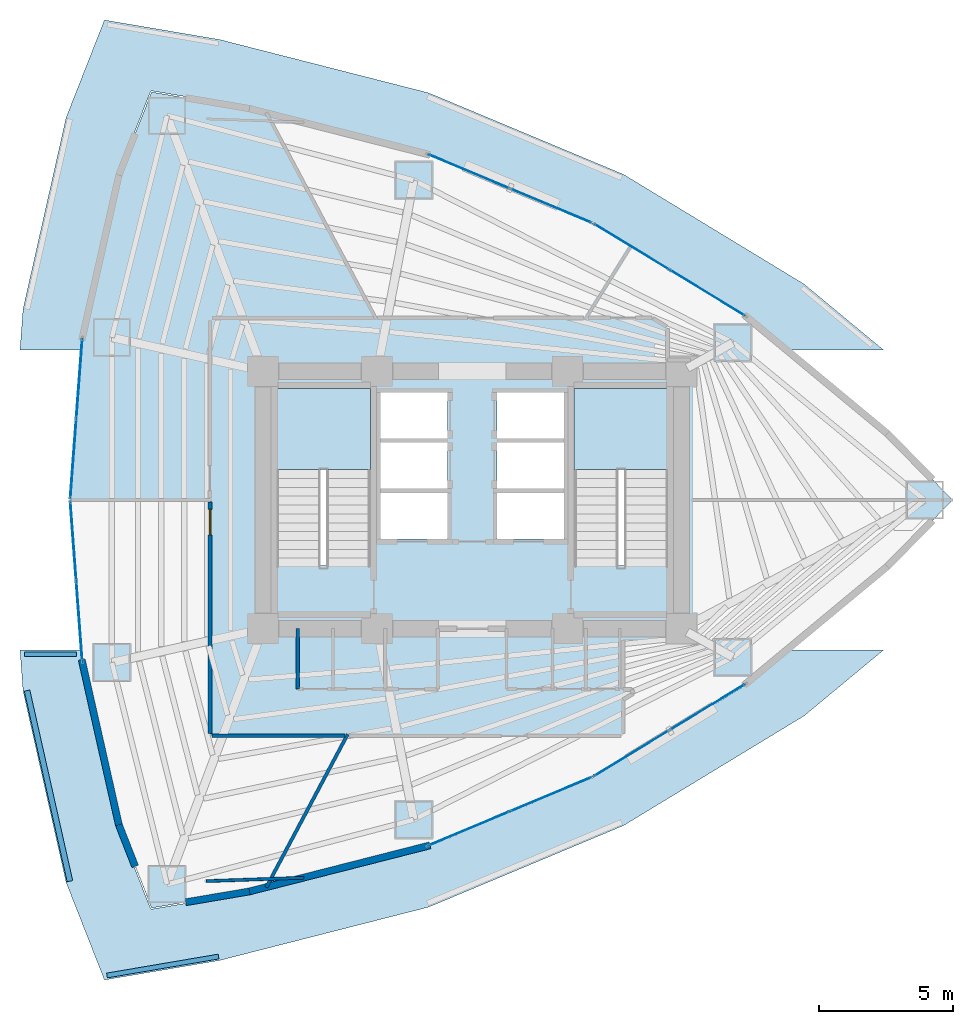
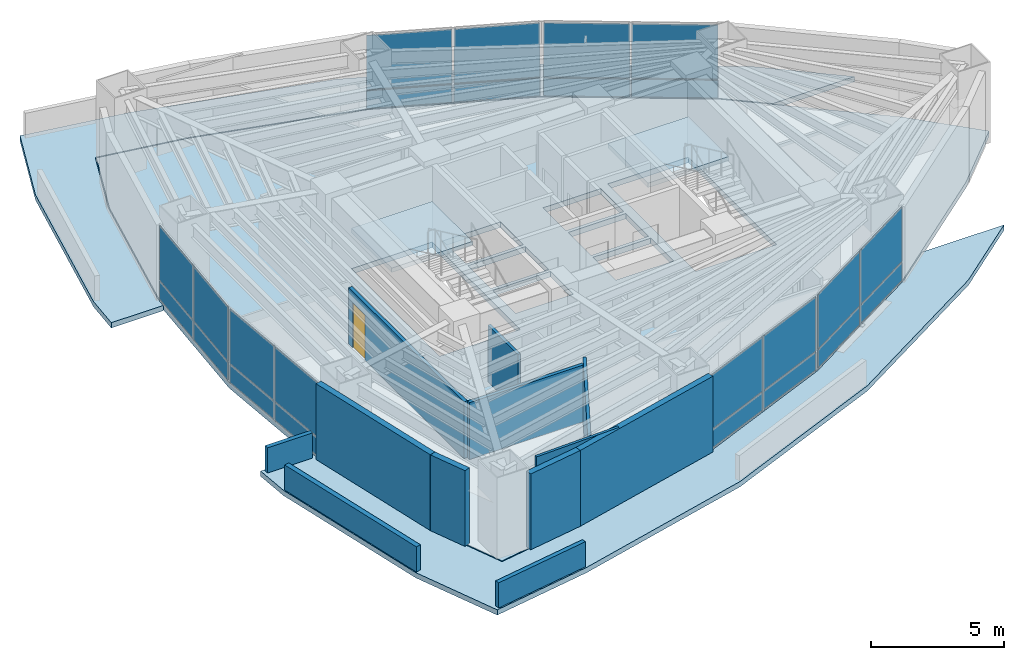
# One storey, part 12 of 17: 24 plates, 12 walls, 5 slabs, 1 door, 1 opening, 8 elements without a shape of their own.
"""IFC4 building model written with IfcOpenShell, lengths in metres."""

from ifc_helpers import new_model, si_unit, direction, frame, frame_2d, origin, origin_2d, place, context, subcontext, project, spatial, polyline, rectangle, outline, extrude, material, layer, layer_set, type_object, element, fill, aggregate, save


model = new_model("IFC4")

# Units and contexts
model_context = context("Model", 3, precision=1e-05, world=origin(), true_north=direction((0.0, 1.0)))
body_context = subcontext(model_context, "Body", "Model", "MODEL_VIEW")
ifc_project = project(units=[si_unit("LENGTHUNIT", "METRE"), si_unit("AREAUNIT", "SQUARE_METRE"), si_unit("VOLUMEUNIT", "CUBIC_METRE"), si_unit("PLANEANGLEUNIT", "RADIAN"), si_unit("MASSUNIT", "GRAM", prefix="KILO")], contexts=[model_context])

# Site, building, storey
site_placement = place(None, origin())
site = spatial("IfcSite", under=ifc_project, at=site_placement, CompositionType="ELEMENT")
building_placement = place(site_placement, origin())
building = spatial("IfcBuilding", under=site, at=building_placement, Name="Menara Vayukalpa", CompositionType="ELEMENT")
storey_placement = place(building_placement, frame((0.0, 0.0, 27.60009765625)))
storey = spatial("IfcBuildingStorey", under=building, at=storey_placement, Name="L05", CompositionType="ELEMENT", Elevation=27.60009765625)

# Curtain wall, plates
ifc_material_1 = material(Name="Anodised Terracotta Aluminium Alloy 6063-T6", Category="masonry")
ifc_layer_1 = layer(ifc_material_1, 0.1650390625)
ifc_layer_set_1 = layer_set([ifc_layer_1], Name="Anodised Terracotta Aluminium Alloy 6063-T6")
curtain_wall_type = type_object("IfcCurtainWallType", Name="CW-CW2", PredefinedType="USERDEFINED", material=ifc_layer_set_1)
curtain_wall_1_placement = place(storey_placement, origin())
curtain_wall_1 = element("IfcCurtainWall", 1, at=curtain_wall_1_placement, inside=storey, type_object=curtain_wall_type, Name="L05 Low Rise Terracotta Ribbon Curtain Wall CW2 04", ObjectType="UNITISED", PredefinedType="USERDEFINED")
ifc_material_2 = material(Name="Low-E Double Glazing", Category="glass")
ifc_layer_2 = layer(ifc_material_2, 0.031982421875)
ifc_layer_set_2 = layer_set([ifc_layer_2], Name="Low-E Double Glazing")
plate_type = type_object("IfcPlateType", Name="CWP-CW2", PredefinedType="CURTAIN_PANEL", material=ifc_layer_set_2)
plate_1_placement = place(storey_placement, frame((34.371826171875, 29.721435546875, 0.06494140625), z_axis=(0.0, 0.0, 1.0), x_axis=(-0.854663727945, 0.519181964377, 0.0)))
plate_1 = element("IfcPlate", 2, at=plate_1_placement, type_object=plate_type, Name="CW2 panel 1.1", PredefinedType="CURTAIN_PANEL", context=body_context, shape_type="SweptSolid", body=[
    extrude(rectangle(XDim=3.24267578125, YDim=0.031982421875, at=origin_2d()), origin(), (0.0, 0.0, 1.0), 0.802490234375),
])
plate_2_placement = place(storey_placement, frame((34.371826171875, 29.721435546875, 0.9326171875), z_axis=(0.0, 0.0, 1.0), x_axis=(-0.854663727945, 0.519181964377, 0.0)))
plate_2 = element("IfcPlate", 3, at=plate_2_placement, type_object=plate_type, Name="CW2 panel 1.2", PredefinedType="CURTAIN_PANEL", context=body_context, shape_type="SweptSolid", body=[
    extrude(rectangle(XDim=3.24267578125, YDim=0.031982421875, at=origin_2d()), origin(), (0.0, 0.0, 1.0), 2.472412109375),
])
plate_3_placement = place(storey_placement, frame((31.54052734375, 31.44140625, 0.06494140625), z_axis=(0.0, 0.0, 1.0), x_axis=(-0.854663727945, 0.519181964377, 0.0)))
plate_3 = element("IfcPlate", 4, at=plate_3_placement, type_object=plate_type, Name="CW2 panel 2.1", PredefinedType="CURTAIN_PANEL", context=body_context, shape_type="SweptSolid", body=[
    extrude(rectangle(XDim=3.24267578125, YDim=0.031982421875, at=origin_2d()), origin(), (0.0, 0.0, 1.0), 0.802490234375),
])
plate_4_placement = place(storey_placement, frame((31.54052734375, 31.44140625, 0.9326171875), z_axis=(0.0, 0.0, 1.0), x_axis=(-0.854663727945, 0.519181964377, 0.0)))
plate_4 = element("IfcPlate", 5, at=plate_4_placement, type_object=plate_type, Name="CW2 panel 2.2", PredefinedType="CURTAIN_PANEL", context=body_context, shape_type="SweptSolid", body=[
    extrude(rectangle(XDim=3.24267578125, YDim=0.031982421875, at=origin_2d()), origin(), (0.0, 0.0, 1.0), 2.472412109375),
])
aggregate(curtain_wall_1, [plate_1, plate_2, plate_3, plate_4])

curtain_wall_2_placement = place(storey_placement, origin())
curtain_wall_2 = element("IfcCurtainWall", 6, at=curtain_wall_2_placement, inside=storey, type_object=curtain_wall_type, Name="L05 Low Rise Terracotta Ribbon Curtain Wall CW2 05", ObjectType="UNITISED", PredefinedType="USERDEFINED")
plate_5_placement = place(storey_placement, frame((28.534912109375, 32.97216796875, 0.06494140625), z_axis=(0.0, 0.0, 1.0), x_axis=(-0.922542658101, 0.385895120445, 0.0)))
plate_5 = element("IfcPlate", 7, at=plate_5_placement, type_object=plate_type, Name="CW2 panel 1.1", PredefinedType="CURTAIN_PANEL", context=body_context, shape_type="SweptSolid", body=[
    extrude(rectangle(XDim=3.242431640625, YDim=0.031982421875, at=origin_2d()), origin(), (0.0, 0.0, 1.0), 0.802490234375),
])
plate_6_placement = place(storey_placement, frame((28.534912109375, 32.97216796875, 0.9326171875), z_axis=(0.0, 0.0, 1.0), x_axis=(-0.922542658101, 0.385895120445, 0.0)))
plate_6 = element("IfcPlate", 8, at=plate_6_placement, type_object=plate_type, Name="CW2 panel 1.2", PredefinedType="CURTAIN_PANEL", context=body_context, shape_type="SweptSolid", body=[
    extrude(rectangle(XDim=3.242431640625, YDim=0.031982421875, at=origin_2d()), origin(), (0.0, 0.0, 1.0), 2.472412109375),
])
plate_7_placement = place(storey_placement, frame((25.478759765625, 34.250244140625, 0.06494140625), z_axis=(0.0, 0.0, 1.0), x_axis=(-0.922542658101, 0.385895120445, 0.0)))
plate_7 = element("IfcPlate", 9, at=plate_7_placement, type_object=plate_type, Name="CW2 panel 2.1", PredefinedType="CURTAIN_PANEL", context=body_context, shape_type="SweptSolid", body=[
    extrude(rectangle(XDim=3.242431640625, YDim=0.031982421875, at=origin_2d()), origin(), (0.0, 0.0, 1.0), 0.802490234375),
])
plate_8_placement = place(storey_placement, frame((25.478759765625, 34.250244140625, 0.9326171875), z_axis=(0.0, 0.0, 1.0), x_axis=(-0.922542658101, 0.385895120445, 0.0)))
plate_8 = element("IfcPlate", 10, at=plate_8_placement, type_object=plate_type, Name="CW2 panel 2.2", PredefinedType="CURTAIN_PANEL", context=body_context, shape_type="SweptSolid", body=[
    extrude(rectangle(XDim=3.242431640625, YDim=0.031982421875, at=origin_2d()), origin(), (0.0, 0.0, 1.0), 2.472412109375),
])
aggregate(curtain_wall_2, [plate_5, plate_6, plate_7, plate_8])

curtain_wall_3_placement = place(storey_placement, origin())
curtain_wall_3 = element("IfcCurtainWall", 11, at=curtain_wall_3_placement, inside=storey, type_object=curtain_wall_type, Name="L05 Low Rise Terracotta Ribbon Curtain Wall CW2 10", ObjectType="UNITISED", PredefinedType="USERDEFINED")
plate_9_placement = place(storey_placement, frame((10.94921875, 26.52734375, 0.06494140625), z_axis=(0.0, 0.0, 1.0), x_axis=(-0.074794857576, -0.997198941676, 0.0)))
plate_9 = element("IfcPlate", 12, at=plate_9_placement, type_object=plate_type, Name="CW2 panel 1.1", PredefinedType="CURTAIN_PANEL", context=body_context, shape_type="SweptSolid", body=[
    extrude(rectangle(XDim=2.933349609375, YDim=0.031982421875, at=origin_2d()), origin(), (0.0, 0.0, 1.0), 0.802490234375),
])
plate_10_placement = place(storey_placement, frame((10.94921875, 26.52734375, 0.9326171875), z_axis=(0.0, 0.0, 1.0), x_axis=(-0.074794857576, -0.997198941676, 0.0)))
plate_10 = element("IfcPlate", 13, at=plate_10_placement, type_object=plate_type, Name="CW2 panel 1.2", PredefinedType="CURTAIN_PANEL", context=body_context, shape_type="SweptSolid", body=[
    extrude(rectangle(XDim=2.933349609375, YDim=0.031982421875, at=origin_2d()), origin(), (0.0, 0.0, 1.0), 2.472412109375),
])
plate_11_placement = place(storey_placement, frame((10.724609375, 23.532470703125, 0.06494140625), z_axis=(0.0, 0.0, 1.0), x_axis=(-0.074794857576, -0.997198941676, 0.0)))
plate_11 = element("IfcPlate", 14, at=plate_11_placement, type_object=plate_type, Name="CW2 panel 2.1", PredefinedType="CURTAIN_PANEL", context=body_context, shape_type="SweptSolid", body=[
    extrude(rectangle(XDim=2.933349609375, YDim=0.031982421875, at=origin_2d()), origin(), (0.0, 0.0, 1.0), 0.802490234375),
])
plate_12_placement = place(storey_placement, frame((10.724609375, 23.532470703125, 0.9326171875), z_axis=(0.0, 0.0, 1.0), x_axis=(-0.074794857576, -0.997198941676, 0.0)))
plate_12 = element("IfcPlate", 15, at=plate_12_placement, type_object=plate_type, Name="CW2 panel 2.2", PredefinedType="CURTAIN_PANEL", context=body_context, shape_type="SweptSolid", body=[
    extrude(rectangle(XDim=2.933349609375, YDim=0.031982421875, at=origin_2d()), origin(), (0.0, 0.0, 1.0), 2.472412109375),
])
aggregate(curtain_wall_3, [plate_9, plate_10, plate_11, plate_12])

curtain_wall_4_placement = place(storey_placement, origin())
curtain_wall_4 = element("IfcCurtainWall", 16, at=curtain_wall_4_placement, inside=storey, type_object=curtain_wall_type, Name="L05 Low Rise Terracotta Ribbon Curtain Wall CW2 11", ObjectType="UNITISED", PredefinedType="USERDEFINED")
plate_13_placement = place(storey_placement, frame((10.724609375, 20.467529296875, 0.06494140625), z_axis=(0.0, 0.0, 1.0), x_axis=(0.074794857576, -0.997198941676, 0.0)))
plate_13 = element("IfcPlate", 17, at=plate_13_placement, type_object=plate_type, Name="CW2 panel 1.1", PredefinedType="CURTAIN_PANEL", context=body_context, shape_type="SweptSolid", body=[
    extrude(rectangle(XDim=2.933349609375, YDim=0.031982421875, at=origin_2d()), origin(), (0.0, 0.0, 1.0), 0.802490234375),
])
plate_14_placement = place(storey_placement, frame((10.724609375, 20.467529296875, 0.9326171875), z_axis=(0.0, 0.0, 1.0), x_axis=(0.074794857576, -0.997198941676, 0.0)))
plate_14 = element("IfcPlate", 18, at=plate_14_placement, type_object=plate_type, Name="CW2 panel 1.2", PredefinedType="CURTAIN_PANEL", context=body_context, shape_type="SweptSolid", body=[
    extrude(rectangle(XDim=2.933349609375, YDim=0.031982421875, at=origin_2d()), origin(), (0.0, 0.0, 1.0), 2.472412109375),
])
plate_15_placement = place(storey_placement, frame((10.94921875, 17.47265625, 0.06494140625), z_axis=(0.0, 0.0, 1.0), x_axis=(0.074794857576, -0.997198941676, 0.0)))
plate_15 = element("IfcPlate", 19, at=plate_15_placement, type_object=plate_type, Name="CW2 panel 2.1", PredefinedType="CURTAIN_PANEL", context=body_context, shape_type="SweptSolid", body=[
    extrude(rectangle(XDim=2.933349609375, YDim=0.031982421875, at=origin_2d()), origin(), (0.0, 0.0, 1.0), 0.802490234375),
])
plate_16_placement = place(storey_placement, frame((10.94921875, 17.47265625, 0.9326171875), z_axis=(0.0, 0.0, 1.0), x_axis=(0.074794857576, -0.997198941676, 0.0)))
plate_16 = element("IfcPlate", 20, at=plate_16_placement, type_object=plate_type, Name="CW2 panel 2.2", PredefinedType="CURTAIN_PANEL", context=body_context, shape_type="SweptSolid", body=[
    extrude(rectangle(XDim=2.933349609375, YDim=0.031982421875, at=origin_2d()), origin(), (0.0, 0.0, 1.0), 2.472412109375),
])
aggregate(curtain_wall_4, [plate_13, plate_14, plate_15, plate_16])

curtain_wall_5_placement = place(storey_placement, origin())
curtain_wall_5 = element("IfcCurtainWall", 21, at=curtain_wall_5_placement, inside=storey, type_object=curtain_wall_type, Name="L05 Low Rise Terracotta Ribbon Curtain Wall CW2 16", ObjectType="UNITISED", PredefinedType="USERDEFINED")
plate_17_placement = place(storey_placement, frame((25.478759765625, 9.749755859375, 0.06494140625), z_axis=(0.0, 0.0, 1.0), x_axis=(0.922542658101, 0.385895120445, 0.0)))
plate_17 = element("IfcPlate", 22, at=plate_17_placement, type_object=plate_type, Name="CW2 panel 1.1", PredefinedType="CURTAIN_PANEL", context=body_context, shape_type="SweptSolid", body=[
    extrude(rectangle(XDim=3.242431640625, YDim=0.031982421875, at=origin_2d()), origin(), (0.0, 0.0, 1.0), 0.802490234375),
])
plate_18_placement = place(storey_placement, frame((25.478759765625, 9.749755859375, 0.9326171875), z_axis=(0.0, 0.0, 1.0), x_axis=(0.922542658101, 0.385895120445, 0.0)))
plate_18 = element("IfcPlate", 23, at=plate_18_placement, type_object=plate_type, Name="CW2 panel 1.2", PredefinedType="CURTAIN_PANEL", context=body_context, shape_type="SweptSolid", body=[
    extrude(rectangle(XDim=3.242431640625, YDim=0.031982421875, at=origin_2d()), origin(), (0.0, 0.0, 1.0), 2.472412109375),
])
plate_19_placement = place(storey_placement, frame((28.534912109375, 11.02783203125, 0.06494140625), z_axis=(0.0, 0.0, 1.0), x_axis=(0.922542658101, 0.385895120445, 0.0)))
plate_19 = element("IfcPlate", 24, at=plate_19_placement, type_object=plate_type, Name="CW2 panel 2.1", PredefinedType="CURTAIN_PANEL", context=body_context, shape_type="SweptSolid", body=[
    extrude(rectangle(XDim=3.242431640625, YDim=0.031982421875, at=origin_2d()), origin(), (0.0, 0.0, 1.0), 0.802490234375),
])
plate_20_placement = place(storey_placement, frame((28.534912109375, 11.02783203125, 0.9326171875), z_axis=(0.0, 0.0, 1.0), x_axis=(0.922542658101, 0.385895120445, 0.0)))
plate_20 = element("IfcPlate", 25, at=plate_20_placement, type_object=plate_type, Name="CW2 panel 2.2", PredefinedType="CURTAIN_PANEL", context=body_context, shape_type="SweptSolid", body=[
    extrude(rectangle(XDim=3.242431640625, YDim=0.031982421875, at=origin_2d()), origin(), (0.0, 0.0, 1.0), 2.472412109375),
])
aggregate(curtain_wall_5, [plate_17, plate_18, plate_19, plate_20])

curtain_wall_6_placement = place(storey_placement, origin())
curtain_wall_6 = element("IfcCurtainWall", 26, at=curtain_wall_6_placement, inside=storey, type_object=curtain_wall_type, Name="L05 Low Rise Terracotta Ribbon Curtain Wall CW2 17", ObjectType="UNITISED", PredefinedType="USERDEFINED")
plate_21_placement = place(storey_placement, frame((31.54052734375, 12.55859375, 0.06494140625), z_axis=(0.0, 0.0, 1.0), x_axis=(0.854663727945, 0.519181964377, 0.0)))
plate_21 = element("IfcPlate", 27, at=plate_21_placement, type_object=plate_type, Name="CW2 panel 1.1", PredefinedType="CURTAIN_PANEL", context=body_context, shape_type="SweptSolid", body=[
    extrude(rectangle(XDim=3.24267578125, YDim=0.031982421875, at=origin_2d()), origin(), (0.0, 0.0, 1.0), 0.802490234375),
])
plate_22_placement = place(storey_placement, frame((31.54052734375, 12.55859375, 0.9326171875), z_axis=(0.0, 0.0, 1.0), x_axis=(0.854663727945, 0.519181964377, 0.0)))
plate_22 = element("IfcPlate", 28, at=plate_22_placement, type_object=plate_type, Name="CW2 panel 1.2", PredefinedType="CURTAIN_PANEL", context=body_context, shape_type="SweptSolid", body=[
    extrude(rectangle(XDim=3.24267578125, YDim=0.031982421875, at=origin_2d()), origin(), (0.0, 0.0, 1.0), 2.472412109375),
])
plate_23_placement = place(storey_placement, frame((34.371826171875, 14.278564453125, 0.06494140625), z_axis=(0.0, 0.0, 1.0), x_axis=(0.854663727945, 0.519181964377, 0.0)))
plate_23 = element("IfcPlate", 29, at=plate_23_placement, type_object=plate_type, Name="CW2 panel 2.1", PredefinedType="CURTAIN_PANEL", context=body_context, shape_type="SweptSolid", body=[
    extrude(rectangle(XDim=3.24267578125, YDim=0.031982421875, at=origin_2d()), origin(), (0.0, 0.0, 1.0), 0.802490234375),
])
plate_24_placement = place(storey_placement, frame((34.371826171875, 14.278564453125, 0.9326171875), z_axis=(0.0, 0.0, 1.0), x_axis=(0.854663727945, 0.519181964377, 0.0)))
plate_24 = element("IfcPlate", 30, at=plate_24_placement, type_object=plate_type, Name="CW2 panel 2.2", PredefinedType="CURTAIN_PANEL", context=body_context, shape_type="SweptSolid", body=[
    extrude(rectangle(XDim=3.24267578125, YDim=0.031982421875, at=origin_2d()), origin(), (0.0, 0.0, 1.0), 2.472412109375),
])
aggregate(curtain_wall_6, [plate_21, plate_22, plate_23, plate_24])

# Slab
ifc_material_3 = material(Name="Concrete C40/50", Category="concrete")
ifc_layer_3 = layer(ifc_material_3, 0.25)
ifc_layer_set_3 = layer_set([ifc_layer_3], Name="Concrete C40/50")
slab_type_1 = type_object("IfcSlabType", Name="SLB-FL250", PredefinedType="FLOOR", material=ifc_layer_set_3)
slab_1_placement = place(storey_placement, frame((0.0, 0.0, -0.25)))
element("IfcSlab", 31, at=slab_1_placement, inside=storey, type_object=slab_type_1, Name="L05 Structural Floor Slab", PredefinedType="FLOOR", context=body_context, shape_type="SweptSolid", body=[
    extrude(outline(polyline([(41.084716796875, 19.52490234375), (43.514892578125, 22.0), (41.084716796875, 24.47509765625), (35.817138671875, 28.843505859375), (30.09521484375, 32.3193359375), (23.918701171875, 34.903076171875), (17.28759765625, 36.59423828125), (13.642578125, 37.212890625), (12.427490234375, 34.119140625), (11.064208984375, 28.0595703125), (10.609619140625, 22.0), (11.064208984375, 15.9404296875), (12.427490234375, 9.880859375), (13.642578125, 6.787109375), (17.28759765625, 7.40576171875), (23.918701171875, 9.096923828125), (30.09521484375, 11.6806640625), (35.817138671875, 15.156494140625), (41.084716796875, 19.52490234375)]), holes=[polyline([(21.800048828125, 19.550048828125), (21.800048828125, 26.14990234375), (18.300048828125, 26.14990234375), (18.300048828125, 19.550048828125), (21.800048828125, 19.550048828125)]), polyline([(32.89990234375, 19.550048828125), (32.89990234375, 26.14990234375), (29.39990234375, 26.14990234375), (29.39990234375, 19.550048828125), (32.89990234375, 19.550048828125)]), polyline([(22.179931640625, 20.550048828125), (24.679931640625, 20.550048828125), (24.679931640625, 22.27001953125), (22.179931640625, 22.27001953125), (22.179931640625, 20.550048828125)]), polyline([(26.52001953125, 20.550048828125), (29.02001953125, 20.550048828125), (29.02001953125, 22.27001953125), (26.52001953125, 22.27001953125), (26.52001953125, 20.550048828125)]), polyline([(22.179931640625, 22.419921875), (24.679931640625, 22.419921875), (24.679931640625, 24.139892578125), (22.179931640625, 24.139892578125), (22.179931640625, 22.419921875)]), polyline([(22.179931640625, 24.2900390625), (24.679931640625, 24.2900390625), (24.679931640625, 26.010009765625), (22.179931640625, 26.010009765625), (22.179931640625, 24.2900390625)]), polyline([(26.52001953125, 24.2900390625), (29.02001953125, 24.2900390625), (29.02001953125, 26.010009765625), (26.52001953125, 26.010009765625), (26.52001953125, 24.2900390625)]), polyline([(26.52001953125, 22.419921875), (29.02001953125, 22.419921875), (29.02001953125, 24.139892578125), (26.52001953125, 24.139892578125), (26.52001953125, 22.419921875)])]), origin(), (0.0, 0.0, 1.0), 0.25),
])

# Stair, slab
ifc_material_4 = material(Name="Precast Concrete C40/50", Category="concrete")
stair_type = type_object("IfcStairType", Name="STR-T04", PredefinedType="DOUBLE_RETURN_STAIR", material=ifc_material_4)
stair_1_placement = place(storey_placement, origin())
stair_1 = element("IfcStair", 32, at=stair_1_placement, inside=storey, type_object=stair_type, Name="L05 Core Exit Stair ST-1", PredefinedType="DOUBLE_RETURN_STAIR")
ifc_material_5 = material(Name="Precast Concrete C40/50", Category="concrete")
ifc_layer_4 = layer(ifc_material_5, 0.199951171875)
ifc_layer_set_4 = layer_set([ifc_layer_4], Name="Precast Concrete C40/50")
slab_type_2 = type_object("IfcSlabType", Name="SLB-LND200", PredefinedType="LANDING", material=ifc_layer_set_4)
slab_2_placement = place(storey_placement, frame((0.0, 0.0, 1.659912109375)))
slab_2 = element("IfcSlab", 33, at=slab_2_placement, type_object=slab_type_2, Name="ST-1 landing 1", PredefinedType="LANDING", context=body_context, shape_type="SweptSolid", body=[
    extrude(outline(polyline([(21.800048828125, 23.1298828125), (21.800048828125, 26.14990234375), (18.300048828125, 26.14990234375), (18.300048828125, 23.1298828125), (21.800048828125, 23.1298828125)])), origin(), (0.0, 0.0, 1.0), 0.199951171875),
])
aggregate(stair_1, [slab_2])

stair_2_placement = place(storey_placement, origin())
stair_2 = element("IfcStair", 34, at=stair_2_placement, inside=storey, type_object=stair_type, Name="L05 Core Exit Stair ST-2", PredefinedType="DOUBLE_RETURN_STAIR")
slab_3_placement = place(storey_placement, frame((0.0, 0.0, 1.659912109375)))
slab_3 = element("IfcSlab", 35, at=slab_3_placement, type_object=slab_type_2, Name="ST-2 landing 1", PredefinedType="LANDING", context=body_context, shape_type="SweptSolid", body=[
    extrude(outline(polyline([(32.89990234375, 23.1298828125), (32.89990234375, 26.14990234375), (29.39990234375, 26.14990234375), (29.39990234375, 23.1298828125), (32.89990234375, 23.1298828125)])), origin(), (0.0, 0.0, 1.0), 0.199951171875),
])
aggregate(stair_2, [slab_3])

# Slabs
ifc_material_6 = material(Name="Concrete C40/50", Category="concrete")
ifc_layer_5 = layer(ifc_material_6, 0.239990234375)
ifc_layer_set_5 = layer_set([ifc_layer_5], Name="Concrete C40/50")
slab_type_3 = type_object("IfcSlabType", Name="SLB-RF240", PredefinedType="ROOF", material=ifc_layer_set_5)
slab_4_placement = place(storey_placement, frame((0.0, 0.0, -0.239990234375)))
element("IfcSlab", 36, at=slab_4_placement, inside=storey, type_object=slab_type_3, Name="L05 Podium Setback Roof Slab N", PredefinedType="ROOF", context=body_context, shape_type="SweptSolid", body=[
    extrude(outline(polyline([(8.85205078125, 29.12890625), (10.4560546875, 36.2578125), (11.885498046875, 39.8974609375), (16.173583984375, 39.169677734375), (23.974853515625, 37.179931640625), (31.2412109375, 34.140380859375), (37.97314453125, 30.051025390625), (40.9287109375, 27.60009765625), (37.379150390625, 27.60009765625), (35.8427734375, 28.874267578125), (35.837890625, 28.877685546875), (30.115966796875, 32.353515625), (30.11328125, 32.35498046875), (30.110595703125, 32.356201171875), (23.93408203125, 34.93994140625), (23.928466796875, 34.94189453125), (17.297607421875, 36.633056640625), (17.294189453125, 36.633544921875), (13.6494140625, 37.252197265625), (13.6455078125, 37.252685546875), (13.6416015625, 37.2529296875), (13.6376953125, 37.252685546875), (13.6337890625, 37.251953125), (13.6298828125, 37.2509765625), (13.62646484375, 37.24951171875), (13.622802734375, 37.247802734375), (13.61962890625, 37.24560546875), (13.61669921875, 37.243408203125), (13.61376953125, 37.240478515625), (13.611083984375, 37.237548828125), (13.60888671875, 37.234619140625), (13.60693359375, 37.231201171875), (13.60546875, 37.2275390625), (12.390380859375, 34.1337890625), (12.389404296875, 34.130859375), (12.388671875, 34.1279296875), (11.025146484375, 28.068359375), (11.0244140625, 28.0625), (10.989501953125, 27.60009765625), (8.7373046875, 27.60009765625), (8.85205078125, 29.12890625)])), origin(), (0.0, 0.0, 1.0), 0.239990234375),
])
slab_5_placement = place(storey_placement, frame((0.0, 0.0, -0.239990234375)))
element("IfcSlab", 37, at=slab_5_placement, inside=storey, type_object=slab_type_3, Name="L05 Podium Setback Roof Slab S", PredefinedType="ROOF", context=body_context, shape_type="SweptSolid", body=[
    extrude(outline(polyline([(31.2412109375, 9.859619140625), (23.974853515625, 6.820068359375), (16.173583984375, 4.830322265625), (11.885498046875, 4.1025390625), (10.4560546875, 7.7421875), (8.85205078125, 14.87109375), (8.7373046875, 16.39990234375), (10.989501953125, 16.39990234375), (11.0244140625, 15.9375), (11.025146484375, 15.931640625), (12.388671875, 9.8720703125), (12.389404296875, 9.869140625), (12.390380859375, 9.8662109375), (13.60546875, 6.7724609375), (13.60693359375, 6.768798828125), (13.60888671875, 6.765380859375), (13.611083984375, 6.762451171875), (13.61376953125, 6.759521484375), (13.61669921875, 6.756591796875), (13.61962890625, 6.75439453125), (13.622802734375, 6.752197265625), (13.62646484375, 6.75048828125), (13.6298828125, 6.7490234375), (13.6337890625, 6.748046875), (13.6376953125, 6.747314453125), (13.6416015625, 6.7470703125), (13.6455078125, 6.747314453125), (13.6494140625, 6.747802734375), (17.294189453125, 7.366455078125), (17.297607421875, 7.366943359375), (23.928466796875, 9.05810546875), (23.93408203125, 9.06005859375), (30.110595703125, 11.643798828125), (30.11328125, 11.64501953125), (30.115966796875, 11.646484375), (35.837890625, 15.122314453125), (35.8427734375, 15.125732421875), (37.379150390625, 16.39990234375), (40.9287109375, 16.39990234375), (37.97314453125, 13.948974609375), (31.2412109375, 9.859619140625)])), origin(), (0.0, 0.0, 1.0), 0.239990234375),
])

# Walls
ifc_material_7 = material(Name="Insulated Precast Concrete C40/50", Category="concrete")
ifc_layer_6 = layer(ifc_material_7, 0.260009765625)
ifc_layer_set_6 = layer_set([ifc_layer_6], Name="Insulated Precast Concrete C40/50")
wall_type_1 = type_object("IfcWallType", Name="WAL-EXT260", PredefinedType="PARTITIONING", material=ifc_layer_set_6)
wall_1_placement = place(storey_placement, frame((12.427490234375, 9.880859375, 0.0), z_axis=(0.0, 0.0, 1.0), x_axis=(-0.219502085231, 0.975612030768, 0.0)))
element("IfcWall", 38, at=wall_1_placement, inside=storey, type_object=wall_type_1, Name="L05 Perimeter Terracotta Pier Wall 12", PredefinedType="PARTITIONING", context=body_context, shape_type="SweptSolid", body=[
    extrude(rectangle(XDim=6.32080078125, YDim=0.260009765625, at=frame_2d((3.160400390625, 0.0))), origin(), (0.0, 0.0, 1.0), 3.469970703125),
])
wall_2_placement = place(storey_placement, frame((13.033203125, 8.339111328125, 0.0), z_axis=(0.0, 0.0, 1.0), x_axis=(-0.365666052462, 0.930746119023, 0.0)))
element("IfcWall", 39, at=wall_2_placement, inside=storey, type_object=wall_type_1, Name="L05 Perimeter Terracotta Pier Wall 13", PredefinedType="PARTITIONING", context=body_context, shape_type="SweptSolid", body=[
    extrude(rectangle(XDim=1.656494140625, YDim=0.260009765625, at=frame_2d((0.828125, 0.0))), origin(), (0.0, 0.0, 1.0), 3.469970703125),
])
wall_3_placement = place(storey_placement, frame((17.29345703125, 7.40673828125, 0.0), z_axis=(0.0, 0.0, 1.0), x_axis=(-0.985905469923, -0.167303330437, 0.0)))
element("IfcWall", 40, at=wall_3_placement, inside=storey, type_object=wall_type_1, Name="L05 Perimeter Terracotta Pier Wall 14", PredefinedType="PARTITIONING", context=body_context, shape_type="SweptSolid", body=[
    extrude(rectangle(XDim=2.412109375, YDim=0.260009765625, at=frame_2d((1.2060546875, 0.0))), origin(), (0.0, 0.0, 1.0), 3.469970703125),
])
wall_4_placement = place(storey_placement, frame((24.025146484375, 9.124267578125, 0.0), z_axis=(0.0, 0.0, 1.0), x_axis=(-0.968977974408, -0.247147092057, 0.0)))
element("IfcWall", 41, at=wall_4_placement, inside=storey, type_object=wall_type_1, Name="L05 Perimeter Terracotta Pier Wall 15", PredefinedType="PARTITIONING", context=body_context, shape_type="SweptSolid", body=[
    extrude(rectangle(XDim=6.959228515625, YDim=0.260009765625, at=frame_2d((3.4794921875, 0.0))), origin(), (0.0, 0.0, 1.0), 3.469970703125),
])
ifc_material_8 = material(Name="Precast Concrete C40/50", Category="concrete")
ifc_layer_7 = layer(ifc_material_8, 0.179931640625)
ifc_layer_set_7 = layer_set([ifc_layer_7], Name="Precast Concrete C40/50")
wall_type_2 = type_object("IfcWallType", Name="WAL-PAR180", PredefinedType="PARAPET", material=ifc_layer_set_7)
wall_5_placement = place(storey_placement, frame((16.142578125, 4.977294921875, 0.0), z_axis=(0.0, 0.0, 1.0), x_axis=(-0.985895567975, -0.167361671382, 0.0)))
element("IfcWall", 42, at=wall_5_placement, inside=storey, type_object=wall_type_2, Name="Podium Roof Parapet Wall 06", PredefinedType="PARAPET", context=body_context, shape_type="SweptSolid", body=[
    extrude(rectangle(XDim=4.2216796875, YDim=0.179931640625, at=frame_2d((2.11083984375, 0.0))), origin(), (0.0, 0.0, 1.0), 1.14990234375),
])
wall_6_placement = place(storey_placement, frame((8.89892578125, 16.25, 0.0), z_axis=(0.0, 0.0, 1.0), x_axis=(1.0, 0.0, 0.0)))
element("IfcWall", 43, at=wall_6_placement, inside=storey, type_object=wall_type_2, Name="Podium Roof Parapet Wall 08", PredefinedType="PARAPET", context=body_context, shape_type="SweptSolid", body=[
    extrude(rectangle(XDim=1.951416015625, YDim=0.179931640625, at=frame_2d((0.9755859375, 0.0))), origin(), (0.0, 0.0, 1.0), 1.14990234375),
])
ifc_material_9 = material(Name="Precast Concrete C40/50", Category="concrete")
ifc_layer_8 = layer(ifc_material_9, 0.2099609375)
ifc_layer_set_8 = layer_set([ifc_layer_8], Name="Precast Concrete C40/50")
wall_type_3 = type_object("IfcWallType", Name="WAL-PAR210", PredefinedType="PARAPET", material=ifc_layer_set_8)
wall_7_placement = place(storey_placement, frame((10.599853515625, 7.786376953125, 0.0), z_axis=(0.0, 0.0, 1.0), x_axis=(-0.219520170018, 0.975607961712, 0.0)))
element("IfcWall", 44, at=wall_7_placement, inside=storey, type_object=wall_type_3, Name="Podium Roof Parapet Wall 07", PredefinedType="PARAPET", context=body_context, shape_type="SweptSolid", body=[
    extrude(rectangle(XDim=7.28466796875, YDim=0.2099609375, at=frame_2d((3.642333984375, 0.0))), origin(), (0.0, 0.0, 1.0), 1.14990234375),
])
ifc_material_10 = material(Name="Acoustic Mineral Stud Partition", Category="masonry")
ifc_layer_9 = layer(ifc_material_10, 0.110107421875)
ifc_layer_set_9 = layer_set([ifc_layer_9], Name="Acoustic Mineral Stud Partition")
wall_type_4 = type_object("IfcWallType", Name="WAL-PT110", PredefinedType="PARTITIONING", material=ifc_layer_set_9)
wall_8_placement = place(storey_placement, frame((15.68994140625, 7.7890625, 0.0), z_axis=(0.0, 0.0, 1.0), x_axis=(0.999389725088, 0.03493103762, 0.0)))
element("IfcWall", 45, at=wall_8_placement, inside=storey, type_object=wall_type_4, Name="L05 Interior Partition IW-L05-RDIV07", PredefinedType="PARTITIONING", context=body_context, shape_type="SweptSolid", body=[
    extrude(rectangle(XDim=3.641357421875, YDim=0.110107421875, at=frame_2d((1.82080078125, 0.0))), origin(), (0.0, 0.0, 1.0), 3.469970703125),
])
ifc_material_11 = material(Name="Gypsum Drywall Steel Stud Assembly", Category="steel")
ifc_layer_10 = layer(ifc_material_11, 0.125)
ifc_layer_set_10 = layer_set([ifc_layer_10], Name="Gypsum Drywall Steel Stud Assembly")
wall_type_5 = type_object("IfcWallType", Name="WAL-PT125", PredefinedType="PARTITIONING", material=ifc_layer_set_10)
wall_9_placement = place(storey_placement, frame((19.10009765625, 14.949951171875, 0.0), z_axis=(0.0, 0.0, 1.0), x_axis=(0.0, 1.0, 0.0)))
element("IfcWall", 46, at=wall_9_placement, inside=storey, type_object=wall_type_5, Name="L05 Interior Partition IW-L05-SVCD-01", PredefinedType="PARTITIONING", context=body_context, shape_type="SweptSolid", body=[
    extrude(rectangle(XDim=2.25, YDim=0.125, at=frame_2d((1.125, 0.0))), origin(), (0.0, 0.0, 1.0), 2.599853515625),
])
wall_10_placement = place(storey_placement, frame((20.952880859375, 13.260009765625, 0.0), z_axis=(0.0, 0.0, 1.0), x_axis=(-0.469479450278, -0.88294339896, 0.0)))
element("IfcWall", 47, at=wall_10_placement, inside=storey, type_object=wall_type_5, Name="L05 Interior Partition IW-L05-RDIV05", PredefinedType="PARTITIONING", context=body_context, shape_type="SweptSolid", body=[
    extrude(rectangle(XDim=6.459228515625, YDim=0.125, at=frame_2d((3.2294921875, 0.0))), origin(), (0.0, 0.0, 1.0), 2.849853515625),
])

# Wall, opening, door
ifc_material_12 = material(Name="Gypsum Drywall Acoustic Stud Assembly", Category="masonry")
ifc_layer_11 = layer(ifc_material_12, 0.14501953125)
ifc_layer_set_11 = layer_set([ifc_layer_11], Name="Gypsum Drywall Acoustic Stud Assembly")
wall_type_6 = type_object("IfcWallType", Name="WAL-PT150", PredefinedType="PARTITIONING", material=ifc_layer_set_11)
wall_11_placement = place(storey_placement, frame((15.820068359375, 21.929931640625, 0.0), z_axis=(0.0, 0.0, 1.0), x_axis=(0.0, -1.0, 0.0)))
wall_11 = element("IfcWall", 48, at=wall_11_placement, inside=storey, type_object=wall_type_6, Name="L05 Interior Partition IW-L05-CRM01-1", PredefinedType="PARTITIONING", context=body_context, shape_type="SweptSolid", body=[
    extrude(rectangle(XDim=8.639892578125, YDim=0.14501953125, at=frame_2d((4.31982421875, 0.0))), origin(), (0.0, 0.0, 1.0), 2.599853515625),
])
opening_placement = place(wall_11_placement, frame((0.280029296875, 0.0, 0.0)))
opening = element("IfcOpeningElement", 49, at=opening_placement, cuts=wall_11, Name="Opening ID5", PredefinedType="OPENING", context=body_context, shape_type="SweptSolid", body=[
    extrude(rectangle(XDim=0.949951171875, YDim=2.06005859375, at=frame_2d((0.47509765625, 1.030029296875))), frame((0.0, 0.08251953125, 0.0), z_axis=(0.0, -1.0, 0.0), x_axis=(1.0, 0.0, 0.0)), (0.0, 0.0, 1.0), 0.1650390625),
])
ifc_material_13 = material(Name="Acoustic Hardwood Veneer Timber Door", Category="wood")
door_type = type_object("IfcDoorType", Name="DR-INT95", OperationType="NOTDEFINED", PredefinedType="DOOR", material=ifc_material_13)
door_placement = place(opening_placement, origin())
door = element("IfcDoor", 50, at=door_placement, inside=storey, type_object=door_type, Name="L05 Interior Door DR-L05-RM01", OperationType="SINGLE_SWING_RIGHT", OverallHeight=2.06005859375, OverallWidth=0.949951171875, PredefinedType="DOOR", context=body_context, shape_type="SweptSolid", body=[
    extrude(rectangle(XDim=0.949951171875, YDim=2.06005859375, at=frame_2d((0.47509765625, 1.030029296875))), frame((0.0, 0.02490234375, 0.0), z_axis=(0.0, -1.0, 0.0), x_axis=(1.0, 0.0, 0.0)), (0.0, 0.0, 1.0), 0.050048828125),
])
fill(opening, door)

# Wall
wall_12_placement = place(storey_placement, frame((15.89990234375, 13.2099609375, 0.0), z_axis=(0.0, 0.0, 1.0), x_axis=(1.0, 0.0, 0.0)))
element("IfcWall", 51, at=wall_12_placement, inside=storey, type_object=wall_type_6, Name="L05 Interior Partition IW-L05-CRM01-2", PredefinedType="PARTITIONING", context=body_context, shape_type="SweptSolid", body=[
    extrude(rectangle(XDim=4.947021484375, YDim=0.14501953125, at=frame_2d((2.4736328125, 0.0))), origin(), (0.0, 0.0, 1.0), 2.599853515625),
])

save(model, "model.ifc")
